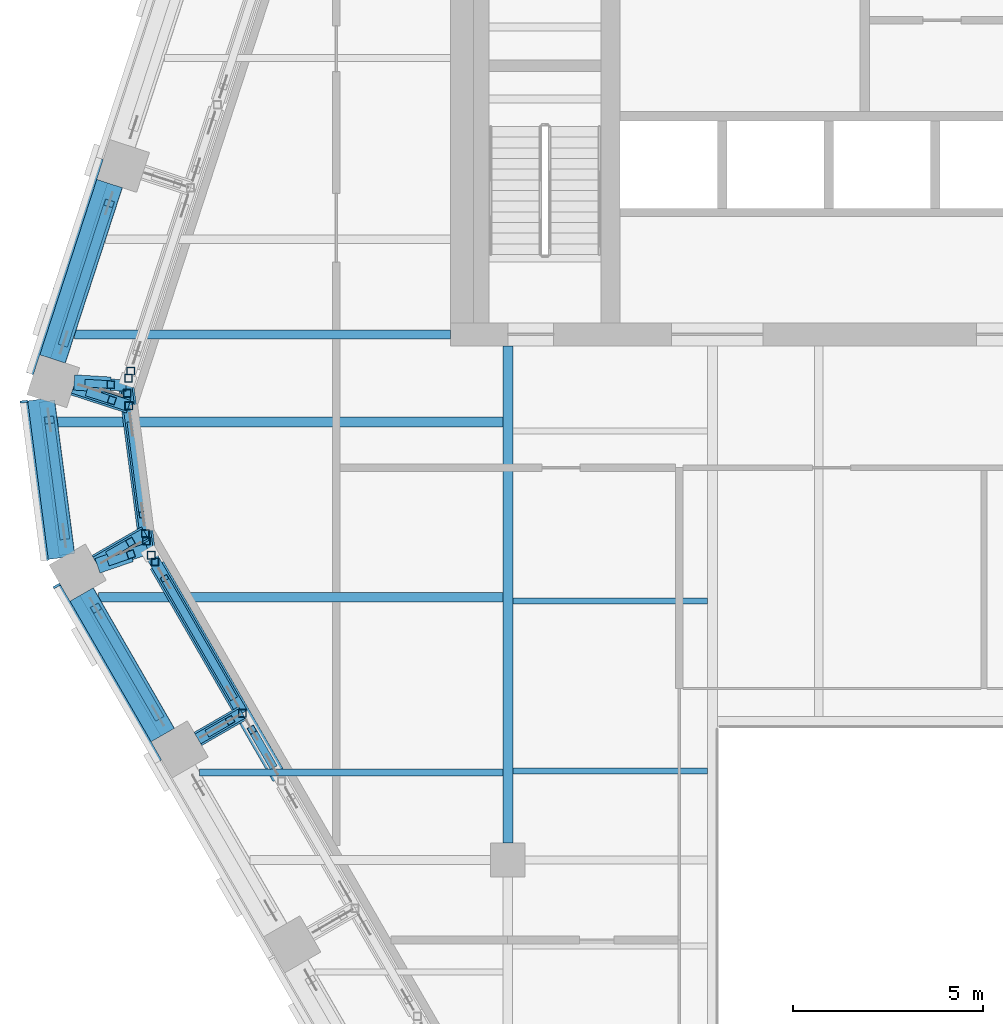
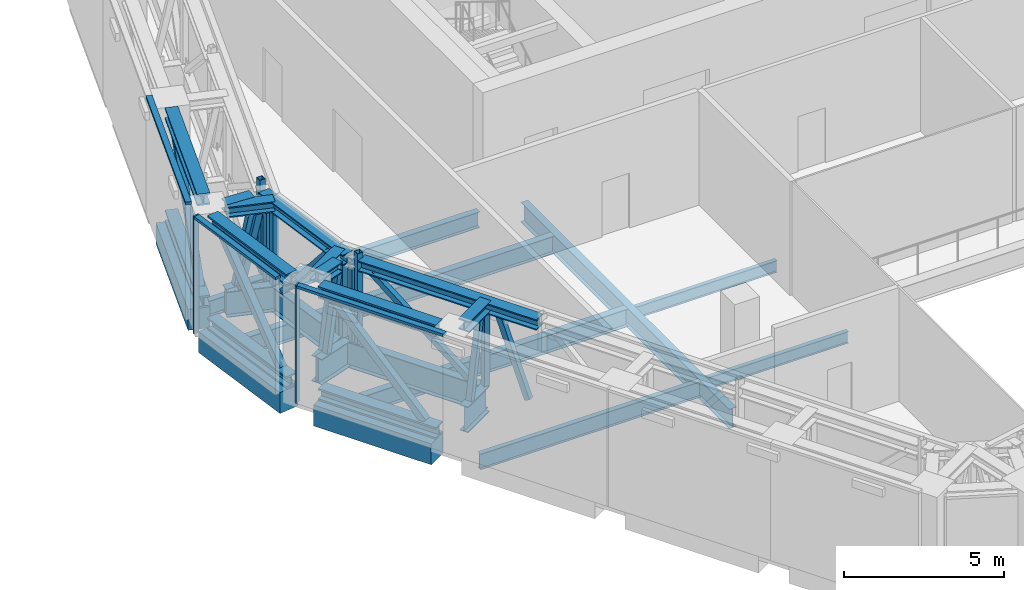
# One storey, part 5 of 25: 45 members, 10 beams, 3 elements without a shape of their own.
"""IFC4 building model written with IfcOpenShell, lengths in metres."""

from ifc_helpers import new_model, si_unit, direction, frame, origin, origin_2d, place, context, subcontext, project, spatial, rectangle, hollow_rectangle, i_section, extrude, material, layer, layer_set, material_profile, profile_set, type_object, element, aggregate, save


model = new_model("IFC4")

# Units and contexts
model_context = context("Model", 3, precision=1e-05, world=origin(), true_north=direction((0.0, 1.0)))
body_context = subcontext(model_context, "Body", "Model", "MODEL_VIEW")
ifc_project = project(units=[si_unit("LENGTHUNIT", "METRE"), si_unit("AREAUNIT", "SQUARE_METRE"), si_unit("VOLUMEUNIT", "CUBIC_METRE"), si_unit("PLANEANGLEUNIT", "RADIAN"), si_unit("MASSUNIT", "GRAM", prefix="KILO")], contexts=[model_context])

# Site, building, storey
site_placement = place(None, origin())
site = spatial("IfcSite", under=ifc_project, at=site_placement, CompositionType="ELEMENT")
building_placement = place(site_placement, origin())
building = spatial("IfcBuilding", under=site, at=building_placement, Name="Isthmus Gate Tower", CompositionType="ELEMENT")
storey_placement = place(building_placement, frame((0.0, 0.0, 256.449951171875)))
storey = spatial("IfcBuildingStorey", under=building, at=storey_placement, Name="L65", CompositionType="ELEMENT", Elevation=256.449951171875)

# Members
ifc_material_1 = material(Name="Structural steel ASTM A913 Gr 65", Category="steel")
ifc_material_profile_1 = material_profile(ifc_material_1, i_section(OverallWidth=0.416015625, OverallDepth=0.444580078125, WebThickness=0.039794921875, FlangeThickness=0.0634765625, at=origin_2d()), Name="W14X342")
ifc_profile_set_1 = profile_set([ifc_material_profile_1], Name="Structural steel ASTM A913 Gr 65")
member_type_1 = type_object("IfcMemberType", Name="BELT TRUSS CHORD W14X342", PredefinedType="CHORD", material=ifc_profile_set_1)
for number, where, z_axis, x_axis, name in (
    (1, (-22.432861328125, -10.14501953125, 0.222412109375), (-0.500021719575, 0.866012863619, 0.0), (-0.866012863619, -0.500021719575, 0.0), "str-belt19-L65-01"),
    (2, (-22.432861328125, -10.14501953125, 4.127685546875), (-0.500021719575, 0.866012863619, 0.0), (-0.866012863619, -0.500021719575, 0.0), "str-belt19-L65-02"),
):
    element("IfcMember", number, at=place(storey_placement, frame(where, z_axis=z_axis, x_axis=x_axis)), inside=storey, type_object=member_type_1, Name=name, PredefinedType="CHORD", context=body_context, shape_type="SweptSolid", body=[
        extrude(i_section(OverallWidth=0.416015625, OverallDepth=0.444580078125, WebThickness=0.039794921875, FlangeThickness=0.0634765625, at=origin_2d()), origin(), (0.0, 0.0, 1.0), 4.260498046875),
    ])
for number, where, z_axis, x_axis, name in (
    (3, (-25.0771484375, -5.48193359375, 0.222412109375), (-0.129179927125, 0.991621170825, 0.0), (-0.991621170825, -0.129179927125, 0.0), "str-belt20-L65-01"),
    (4, (-25.0771484375, -5.48193359375, 4.127685546875), (-0.129179927125, 0.991621170825, 0.0), (-0.991621170825, -0.129179927125, 0.0), "str-belt20-L65-02"),
):
    element("IfcMember", number, at=place(storey_placement, frame(where, z_axis=z_axis, x_axis=x_axis)), inside=storey, type_object=member_type_1, Name=name, PredefinedType="CHORD", context=body_context, shape_type="SweptSolid", body=[
        extrude(i_section(OverallWidth=0.416015625, OverallDepth=0.444580078125, WebThickness=0.039794921875, FlangeThickness=0.0634765625, at=origin_2d()), origin(), (0.0, 0.0, 1.0), 4.063232421875),
    ])
for number, where, z_axis, x_axis, name in (
    (5, (-25.313232421875, -0.389892578125, 0.222412109375), (0.30904844653, 0.951046296296, 0.0), (-0.951046296296, 0.30904844653, 0.0), "str-belt21-L65-01"),
    (6, (-25.313232421875, -0.389892578125, 4.127685546875), (0.30904844653, 0.951046296296, 0.0), (-0.951046296296, 0.30904844653, 0.0), "str-belt21-L65-02"),
):
    element("IfcMember", number, at=place(storey_placement, frame(where, z_axis=z_axis, x_axis=x_axis)), inside=storey, type_object=member_type_1, Name=name, PredefinedType="CHORD", context=body_context, shape_type="SweptSolid", body=[
        extrude(i_section(OverallWidth=0.416015625, OverallDepth=0.444580078125, WebThickness=0.039794921875, FlangeThickness=0.0634765625, at=origin_2d()), origin(), (0.0, 0.0, 1.0), 4.841796875),
    ])

# Curtain wall, member
ifc_material_2 = material(Name="Aluminium, pale champagne anodised", Category="aluminium")
ifc_layer = layer(ifc_material_2, 0.199951171875)
ifc_layer_set = layer_set([ifc_layer], Name="CW-2 LOUVRE CURTAIN WALL 200 DEEP")
curtain_wall_type = type_object("IfcCurtainWallType", Name="CW-2 LOUVRE CURTAIN WALL 200 DEEP", PredefinedType="NOTDEFINED", material=ifc_layer_set)
curtain_wall_1_placement = place(storey_placement, origin())
curtain_wall_1 = element("IfcCurtainWall", 7, at=curtain_wall_1_placement, inside=storey, type_object=curtain_wall_type, Name="CW-2 NW-SW L65", PredefinedType="NOTDEFINED")
ifc_material_3 = material(Name="Aluminium, pale champagne anodised", Category="aluminium")
ifc_material_profile_2 = material_profile(ifc_material_3, rectangle(XDim=0.06005859375, YDim=0.199951171875, at=origin_2d()), Name="60x200")
ifc_profile_set_2 = profile_set([ifc_material_profile_2], Name="Aluminium, pale champagne anodised")
member_type_2 = type_object("IfcMemberType", Name="CW-2 MULLION 60 X 200", PredefinedType="MULLION", material=ifc_profile_set_2)
member_1_placement = place(storey_placement, frame((-26.205322265625, -1.4658203125, 0.0), z_axis=(0.0, 0.0, 1.0), x_axis=(0.129164534, -0.991623175988, 0.0)))
member_1 = element("IfcMember", 8, at=member_1_placement, type_object=member_type_2, Name="CW-2 mullion", PredefinedType="MULLION", context=body_context, shape_type="SweptSolid", body=[
    extrude(rectangle(XDim=0.06005859375, YDim=0.199951171875, at=origin_2d()), origin(), (0.0, 0.0, 1.0), 4.5),
])

curtain_wall_2_placement = place(storey_placement, origin())
curtain_wall_2 = element("IfcCurtainWall", 9, at=curtain_wall_2_placement, inside=storey, type_object=curtain_wall_type, Name="CW-2 SW L65", PredefinedType="NOTDEFINED")
member_2_placement = place(storey_placement, frame((-25.3427734375, -6.304931640625, 0.0), z_axis=(0.0, 0.0, 1.0), x_axis=(0.5, -0.866025403784, 0.0)))
member_2 = element("IfcMember", 10, at=member_2_placement, type_object=member_type_2, Name="CW-2 mullion", PredefinedType="MULLION", context=body_context, shape_type="SweptSolid", body=[
    extrude(rectangle(XDim=0.06005859375, YDim=0.199951171875, at=origin_2d()), origin(), (0.0, 0.0, 1.0), 4.5),
])

curtain_wall_3_placement = place(storey_placement, origin())
curtain_wall_3 = element("IfcCurtainWall", 11, at=curtain_wall_3_placement, inside=storey, type_object=curtain_wall_type, Name="CW-2 NW L65", PredefinedType="NOTDEFINED")
ifc_material_4 = material(Name="Aluminium, pale champagne anodised", Category="aluminium")
ifc_material_profile_3 = material_profile(ifc_material_4, rectangle(XDim=0.199951171875, YDim=0.10009765625, at=origin_2d()), Name="200x100")
ifc_profile_set_3 = profile_set([ifc_material_profile_3], Name="Aluminium, pale champagne anodised")
member_type_3 = type_object("IfcMemberType", Name="CW-2 TRANSOM 200 X 100", PredefinedType="USERDEFINED", material=ifc_profile_set_3)
member_3_placement = place(storey_placement, frame((-24.217529296875, 4.92333984375, 4.449951171875), z_axis=(-0.309020108403, -0.951055504481, 0.0), x_axis=(0.951055504481, -0.309020108403, 0.0)))
member_3 = element("IfcMember", 12, at=member_3_placement, type_object=member_type_3, Name="CW-2 transom", ObjectType="TRANSOM", PredefinedType="USERDEFINED", context=body_context, shape_type="SweptSolid", body=[
    extrude(rectangle(XDim=0.199951171875, YDim=0.10009765625, at=origin_2d()), origin(), (0.0, 0.0, 1.0), 5.94189453125),
])
aggregate(curtain_wall_3, [member_3])

# Member
member_4_placement = place(storey_placement, frame((-26.20166015625, -1.495361328125, 4.449951171875), z_axis=(0.129206893318, -0.991617657527, 0.0), x_axis=(0.991617657527, 0.129206893318, 0.0)))
member_4 = element("IfcMember", 13, at=member_4_placement, type_object=member_type_3, Name="CW-2 transom", ObjectType="TRANSOM", PredefinedType="USERDEFINED", context=body_context, shape_type="SweptSolid", body=[
    extrude(rectangle(XDim=0.199951171875, YDim=0.10009765625, at=origin_2d()), origin(), (0.0, 0.0, 1.0), 4.181640625),
])

aggregate(curtain_wall_1, [member_1, member_4])

member_5_placement = place(storey_placement, frame((-25.327880859375, -6.3310546875, 4.449951171875), z_axis=(0.500022807565, -0.86601223543, 0.0), x_axis=(0.86601223543, 0.500022807565, 0.0)))
member_5 = element("IfcMember", 14, at=member_5_placement, type_object=member_type_3, Name="CW-2 transom", ObjectType="TRANSOM", PredefinedType="USERDEFINED", context=body_context, shape_type="SweptSolid", body=[
    extrude(rectangle(XDim=0.199951171875, YDim=0.10009765625, at=origin_2d()), origin(), (0.0, 0.0, 1.0), 5.300537109375),
])

aggregate(curtain_wall_2, [member_2, member_5])

# Beams
ifc_material_5 = material(Name="Concrete f'c 50 MPa", Category="concrete")
ifc_material_profile_4 = material_profile(ifc_material_5, rectangle(XDim=0.699951171875, YDim=0.800048828125, at=origin_2d()), Name="RC 700X800")
ifc_profile_set_4 = profile_set([ifc_material_profile_4], Name="Concrete f'c 50 MPa")
beam_type_1 = type_object("IfcBeamType", Name="RC SPANDREL 700 X 800", PredefinedType="SPANDREL", material=ifc_profile_set_4)
beam_1_placement = place(storey_placement, frame((-22.562744140625, -10.22021484375, -0.39990234375), z_axis=(-0.499996907167, 0.866027189425, 0.0), x_axis=(-0.866027189425, -0.499996907167, 0.0)))
element("IfcBeam", 15, at=beam_1_placement, inside=storey, type_object=beam_type_1, Name="str-spandrel-L65-19", PredefinedType="SPANDREL", context=body_context, shape_type="SweptSolid", body=[
    extrude(rectangle(XDim=0.699951171875, YDim=0.800048828125, at=origin_2d()), origin(), (0.0, 0.0, 1.0), 4.2607421875),
])
beam_2_placement = place(storey_placement, frame((-25.218017578125, -5.563232421875, -0.39990234375), z_axis=(-0.129137748309, 0.991626664608, 0.0), x_axis=(-0.991626664608, -0.129137748309, 0.0)))
element("IfcBeam", 16, at=beam_2_placement, inside=storey, type_object=beam_type_1, Name="str-spandrel-L65-20", PredefinedType="SPANDREL", context=body_context, shape_type="SweptSolid", body=[
    extrude(rectangle(XDim=0.699951171875, YDim=0.800048828125, at=origin_2d()), origin(), (0.0, 0.0, 1.0), 4.197021484375),
])
beam_3_placement = place(storey_placement, frame((-25.455810546875, -0.34375, -0.39990234375), z_axis=(0.309033626624, 0.951051111989, 0.0), x_axis=(-0.951051111989, 0.309033626624, 0.0)))
element("IfcBeam", 17, at=beam_3_placement, inside=storey, type_object=beam_type_1, Name="str-spandrel-L65-21", PredefinedType="SPANDREL", context=body_context, shape_type="SweptSolid", body=[
    extrude(rectangle(XDim=0.699951171875, YDim=0.800048828125, at=origin_2d()), origin(), (0.0, 0.0, 1.0), 4.842041015625),
])
ifc_material_6 = material(Name="Structural steel ASTM A992 Gr 50", Category="steel")
ifc_material_profile_5 = material_profile(ifc_material_6, i_section(OverallWidth=0.15234375, OverallDepth=0.45068359375, WebThickness=0.0078125, FlangeThickness=0.010986328125, at=origin_2d()), Name="W18X35")
ifc_profile_set_5 = profile_set([ifc_material_profile_5], Name="Structural steel ASTM A992 Gr 50")
beam_type_2 = type_object("IfcBeamType", Name="STEEL FLOOR BEAM W18X35", PredefinedType="JOIST", material=ifc_profile_set_5)
for number, where, z_axis, x_axis, name in (
    (18, (-13.3681640625, -11.16259765625, -0.525390625), (1.0, 0.0, 0.0), (0.0, 1.0, 0.0), "str-beam-L65-03-00"),
    (19, (-13.3681640625, -6.697509765625, -0.525390625), (1.0, 0.0, 0.0), (0.0, 1.0, 0.0), "str-beam-L65-03-01"),
):
    element("IfcBeam", number, at=place(storey_placement, frame(where, z_axis=z_axis, x_axis=x_axis)), inside=storey, type_object=beam_type_2, Name=name, PredefinedType="JOIST", context=body_context, shape_type="SweptSolid", body=[
        extrude(i_section(OverallWidth=0.15234375, OverallDepth=0.45068359375, WebThickness=0.0078125, FlangeThickness=0.010986328125, at=origin_2d()), origin(), (0.0, 0.0, 1.0), 5.104736328125),
    ])
ifc_material_7 = material(Name="Structural steel ASTM A992 Gr 50", Category="steel")
ifc_material_profile_6 = material_profile(ifc_material_7, i_section(OverallWidth=0.177734375, OverallDepth=0.60009765625, WebThickness=0.009521484375, FlangeThickness=0.0126953125, at=origin_2d()), Name="W24X55")
ifc_profile_set_6 = profile_set([ifc_material_profile_6], Name="Structural steel ASTM A992 Gr 50")
beam_type_3 = type_object("IfcBeamType", Name="STEEL FLOOR BEAM W24X55", PredefinedType="JOIST", material=ifc_profile_set_6)
beam_4_placement = place(storey_placement, frame((-21.593017578125, -11.199951171875, -0.60009765625), z_axis=(1.0, 0.0, 0.0), x_axis=(0.0, 1.0, 0.0)))
element("IfcBeam", 20, at=beam_4_placement, inside=storey, type_object=beam_type_3, Name="str-beam-L65-01-00", PredefinedType="JOIST", context=body_context, shape_type="SweptSolid", body=[
    extrude(i_section(OverallWidth=0.177734375, OverallDepth=0.60009765625, WebThickness=0.009521484375, FlangeThickness=0.0126953125, at=origin_2d()), origin(), (0.0, 0.0, 1.0), 7.961181640625),
])
ifc_material_8 = material(Name="Structural steel ASTM A992 Gr 50", Category="steel")
ifc_material_profile_7 = material_profile(ifc_material_8, i_section(OverallWidth=0.25390625, OverallDepth=0.679443359375, WebThickness=0.010986328125, FlangeThickness=0.015869140625, at=origin_2d()), Name="W27X84")
ifc_profile_set_7 = profile_set([ifc_material_profile_7], Name="Structural steel ASTM A992 Gr 50")
beam_type_4 = type_object("IfcBeamType", Name="STEEL FLOOR BEAM W27X84", PredefinedType="JOIST", material=ifc_profile_set_7)
beam_5_placement = place(storey_placement, frame((-24.248779296875, -6.60009765625, -0.6396484375), z_axis=(1.0, 0.0, 0.0), x_axis=(0.0, 1.0, 0.0)))
element("IfcBeam", 21, at=beam_5_placement, inside=storey, type_object=beam_type_4, Name="str-beam-L65-01-01", PredefinedType="JOIST", context=body_context, shape_type="SweptSolid", body=[
    extrude(i_section(OverallWidth=0.25390625, OverallDepth=0.679443359375, WebThickness=0.010986328125, FlangeThickness=0.015869140625, at=origin_2d()), origin(), (0.0, 0.0, 1.0), 10.616943359375),
])
beam_6_placement = place(storey_placement, frame((-25.3291015625, -2.0, -0.6396484375), z_axis=(1.0, 0.0, 0.0), x_axis=(0.0, 1.0, 0.0)))
element("IfcBeam", 22, at=beam_6_placement, inside=storey, type_object=beam_type_4, Name="str-beam-L65-01-02", PredefinedType="JOIST", context=body_context, shape_type="SweptSolid", body=[
    extrude(i_section(OverallWidth=0.25390625, OverallDepth=0.679443359375, WebThickness=0.010986328125, FlangeThickness=0.015869140625, at=origin_2d()), origin(), (0.0, 0.0, 1.0), 11.697265625),
])
ifc_material_9 = material(Name="Structural steel ASTM A992 Gr 50", Category="steel")
ifc_material_profile_8 = material_profile(ifc_material_9, i_section(OverallWidth=0.228515625, OverallDepth=0.6064453125, WebThickness=0.010986328125, FlangeThickness=0.017578125, at=origin_2d()), Name="W24X76")
ifc_profile_set_8 = profile_set([ifc_material_profile_8], Name="Structural steel ASTM A992 Gr 50")
beam_type_5 = type_object("IfcBeamType", Name="STEEL GIRDER W24X76", PredefinedType="BEAM", material=ifc_profile_set_8)
beam_7_placement = place(storey_placement, frame((-15.0, 0.300048828125, -0.603271484375), z_axis=(-1.0, 0.0, 0.0), x_axis=(0.0, -1.0, 0.0)))
element("IfcBeam", 23, at=beam_7_placement, inside=storey, type_object=beam_type_5, Name="str-girder-L65-09", PredefinedType="BEAM", context=body_context, shape_type="SweptSolid", body=[
    extrude(i_section(OverallWidth=0.228515625, OverallDepth=0.6064453125, WebThickness=0.010986328125, FlangeThickness=0.017578125, at=origin_2d()), origin(), (0.0, 0.0, 1.0), 9.878662109375),
])
ifc_material_10 = material(Name="Structural steel ASTM A992 Gr 50", Category="steel")
ifc_material_profile_9 = material_profile(ifc_material_10, i_section(OverallWidth=0.263427734375, OverallDepth=0.749267578125, WebThickness=0.0126953125, FlangeThickness=0.015869140625, at=origin_2d()), Name="W30X90")
ifc_profile_set_9 = profile_set([ifc_material_profile_9], Name="Structural steel ASTM A992 Gr 50")
beam_type_6 = type_object("IfcBeamType", Name="STEEL GIRDER W30X90", PredefinedType="BEAM", material=ifc_profile_set_9)
beam_8_placement = place(storey_placement, frame((-13.5, -13.050048828125, -0.674560546875), z_axis=(0.0, 1.0, 0.0), x_axis=(-1.0, 0.0, 0.0)))
element("IfcBeam", 24, at=beam_8_placement, inside=storey, type_object=beam_type_6, Name="str-girder-L65-06", PredefinedType="BEAM", context=body_context, shape_type="SweptSolid", body=[
    extrude(i_section(OverallWidth=0.263427734375, OverallDepth=0.749267578125, WebThickness=0.0126953125, FlangeThickness=0.015869140625, at=origin_2d()), origin(), (0.0, 0.0, 1.0), 13.050048828125),
])

# Members
ifc_material_11 = material(Name="Structural steel ASTM A913 Gr 65", Category="steel")
ifc_material_profile_10 = material_profile(ifc_material_11, i_section(OverallWidth=0.4033203125, OverallDepth=0.406494140625, WebThickness=0.027099609375, FlangeThickness=0.04443359375, at=origin_2d()), Name="W14X233")
ifc_profile_set_10 = profile_set([ifc_material_profile_10], Name="Structural steel ASTM A913 Gr 65")
member_type_4 = type_object("IfcMemberType", Name="TRANSFER TRUSS CHORD W14X233", PredefinedType="CHORD", material=ifc_profile_set_10)
member_6_placement = place(storey_placement, frame((-19.492431640625, -11.33837890625, 4.046875), z_axis=(-0.499979485154, 0.866037247712, 0.0), x_axis=(-0.866037247712, -0.499979485154, 0.0)))
element("IfcMember", 25, at=member_6_placement, inside=storey, type_object=member_type_4, Name="str-ring07-L65-17", PredefinedType="CHORD", context=body_context, shape_type="SweptSolid", body=[
    extrude(i_section(OverallWidth=0.4033203125, OverallDepth=0.406494140625, WebThickness=0.027099609375, FlangeThickness=0.04443359375, at=origin_2d()), origin(), (0.0, 0.0, 1.0), 6.440673828125),
])
member_7_placement = place(storey_placement, frame((-22.963623046875, -5.32568359375, 4.046875), z_axis=(-0.129155453655, 0.991624358712, 0.0), x_axis=(-0.991624358712, -0.129155453655, 0.0)))
element("IfcMember", 26, at=member_7_placement, inside=storey, type_object=member_type_4, Name="str-ring08-L65-06", PredefinedType="CHORD", context=body_context, shape_type="SweptSolid", body=[
    extrude(i_section(OverallWidth=0.4033203125, OverallDepth=0.406494140625, WebThickness=0.027099609375, FlangeThickness=0.04443359375, at=origin_2d()), origin(), (0.0, 0.0, 1.0), 4.3173828125),
])
member_8_placement = place(storey_placement, frame((-24.912353515625, -1.098388671875, 4.046875), z_axis=(0.951042250875, -0.309060895376, 0.0), x_axis=(0.309060895376, 0.951042250875, 0.0)))
element("IfcMember", 27, at=member_8_placement, inside=storey, type_object=member_type_4, Name="str-link09-L65-02", PredefinedType="CHORD", context=body_context, shape_type="SweptSolid", body=[
    extrude(i_section(OverallWidth=0.4033203125, OverallDepth=0.406494140625, WebThickness=0.027099609375, FlangeThickness=0.04443359375, at=origin_2d()), origin(), (0.0, 0.0, 1.0), 1.534912109375),
])
member_9_placement = place(storey_placement, frame((-24.318603515625, -5.678955078125, 4.046875), z_axis=(0.866047774678, 0.499961250474, 0.0), x_axis=(-0.499961250474, 0.866047774678, 0.0)))
element("IfcMember", 28, at=member_9_placement, inside=storey, type_object=member_type_4, Name="str-link10-L65-02", PredefinedType="CHORD", context=body_context, shape_type="SweptSolid", body=[
    extrude(i_section(OverallWidth=0.4033203125, OverallDepth=0.406494140625, WebThickness=0.027099609375, FlangeThickness=0.04443359375, at=origin_2d()), origin(), (0.0, 0.0, 1.0), 1.50439453125),
])
member_10_placement = place(storey_placement, frame((-21.63818359375, -10.321533203125, 4.046875), z_axis=(0.865974735705, 0.50008774942, 0.0), x_axis=(-0.50008774942, 0.865974735705, 0.0)))
element("IfcMember", 29, at=member_10_placement, inside=storey, type_object=member_type_4, Name="str-link11-L65-02", PredefinedType="CHORD", context=body_context, shape_type="SweptSolid", body=[
    extrude(i_section(OverallWidth=0.4033203125, OverallDepth=0.406494140625, WebThickness=0.027099609375, FlangeThickness=0.04443359375, at=origin_2d()), origin(), (0.0, 0.0, 1.0), 1.349853515625),
])
member_11_placement = place(storey_placement, frame((-24.274658203125, -5.775634765625, 4.046875), z_axis=(0.945855916231, 0.324586792294, 0.0), x_axis=(-0.324586792294, 0.945855916231, 0.0)))
element("IfcMember", 30, at=member_11_placement, inside=storey, type_object=member_type_4, Name="str-link38-L65-02", PredefinedType="CHORD", context=body_context, shape_type="SweptSolid", body=[
    extrude(i_section(OverallWidth=0.4033203125, OverallDepth=0.406494140625, WebThickness=0.027099609375, FlangeThickness=0.04443359375, at=origin_2d()), origin(), (0.0, 0.0, 1.0), 0.927490234375),
])
member_12_placement = place(storey_placement, frame((-24.886474609375, -0.961669921875, 4.046875), z_axis=(0.998163391223, -0.060579240859, 0.0), x_axis=(0.060579240859, 0.998163391223, 0.0)))
element("IfcMember", 31, at=member_12_placement, inside=storey, type_object=member_type_4, Name="str-link39-L65-02", PredefinedType="CHORD", context=body_context, shape_type="SweptSolid", body=[
    extrude(i_section(OverallWidth=0.4033203125, OverallDepth=0.406494140625, WebThickness=0.027099609375, FlangeThickness=0.04443359375, at=origin_2d()), origin(), (0.0, 0.0, 1.0), 0.963134765625),
])
ifc_material_12 = material(Name="Structural steel ASTM A913 Gr 65", Category="steel")
ifc_material_profile_11 = material_profile(ifc_material_12, i_section(OverallWidth=0.29833984375, OverallDepth=0.981201171875, WebThickness=0.015869140625, FlangeThickness=0.025390625, at=origin_2d()), Name="W40X167")
ifc_profile_set_11 = profile_set([ifc_material_profile_11], Name="Structural steel ASTM A913 Gr 65")
member_type_5 = type_object("IfcMemberType", Name="TRANSFER TRUSS CHORD W40X167", PredefinedType="CHORD", material=ifc_profile_set_11)
member_13_placement = place(storey_placement, frame((-20.468994140625, -9.646728515625, 0.490478515625), z_axis=(-0.499980828035, 0.86603647244, 0.0), x_axis=(-0.86603647244, -0.499980828035, 0.0)))
element("IfcMember", 32, at=member_13_placement, inside=storey, type_object=member_type_5, Name="str-ring07-L65-13", PredefinedType="CHORD", context=body_context, shape_type="SweptSolid", body=[
    extrude(i_section(OverallWidth=0.29833984375, OverallDepth=0.981201171875, WebThickness=0.015869140625, FlangeThickness=0.025390625, at=origin_2d()), origin(), (0.0, 0.0, 1.0), 4.989501953125),
])
member_14_placement = place(storey_placement, frame((-22.963623046875, -5.32568359375, 0.490478515625), z_axis=(-0.129155453655, 0.991624358712, 0.0), x_axis=(-0.991624358712, -0.129155453655, 0.0)))
element("IfcMember", 33, at=member_14_placement, inside=storey, type_object=member_type_5, Name="str-ring08-L65-05", PredefinedType="CHORD", context=body_context, shape_type="SweptSolid", body=[
    extrude(i_section(OverallWidth=0.29833984375, OverallDepth=0.981201171875, WebThickness=0.015869140625, FlangeThickness=0.025390625, at=origin_2d()), origin(), (0.0, 0.0, 1.0), 4.3173828125),
])
member_15_placement = place(storey_placement, frame((-24.912353515625, -1.098388671875, 0.490478515625), z_axis=(0.951042250875, -0.309060895376, 0.0), x_axis=(0.309060895376, 0.951042250875, 0.0)))
element("IfcMember", 34, at=member_15_placement, inside=storey, type_object=member_type_5, Name="str-link09-L65-01", PredefinedType="CHORD", context=body_context, shape_type="SweptSolid", body=[
    extrude(i_section(OverallWidth=0.29833984375, OverallDepth=0.981201171875, WebThickness=0.015869140625, FlangeThickness=0.025390625, at=origin_2d()), origin(), (0.0, 0.0, 1.0), 1.534912109375),
])
member_16_placement = place(storey_placement, frame((-24.318603515625, -5.678955078125, 0.490478515625), z_axis=(0.866047774678, 0.499961250474, 0.0), x_axis=(-0.499961250474, 0.866047774678, 0.0)))
element("IfcMember", 35, at=member_16_placement, inside=storey, type_object=member_type_5, Name="str-link10-L65-01", PredefinedType="CHORD", context=body_context, shape_type="SweptSolid", body=[
    extrude(i_section(OverallWidth=0.29833984375, OverallDepth=0.981201171875, WebThickness=0.015869140625, FlangeThickness=0.025390625, at=origin_2d()), origin(), (0.0, 0.0, 1.0), 1.50439453125),
])
member_17_placement = place(storey_placement, frame((-21.63818359375, -10.321533203125, 0.490478515625), z_axis=(0.865974735705, 0.50008774942, 0.0), x_axis=(-0.50008774942, 0.865974735705, 0.0)))
element("IfcMember", 36, at=member_17_placement, inside=storey, type_object=member_type_5, Name="str-link11-L65-01", PredefinedType="CHORD", context=body_context, shape_type="SweptSolid", body=[
    extrude(i_section(OverallWidth=0.29833984375, OverallDepth=0.981201171875, WebThickness=0.015869140625, FlangeThickness=0.025390625, at=origin_2d()), origin(), (0.0, 0.0, 1.0), 1.349853515625),
])
member_18_placement = place(storey_placement, frame((-24.274658203125, -5.775634765625, 0.490478515625), z_axis=(0.945845546106, 0.324617009585, 0.0), x_axis=(-0.324617009585, 0.945845546106, 0.0)))
element("IfcMember", 37, at=member_18_placement, inside=storey, type_object=member_type_5, Name="str-link38-L65-01", PredefinedType="CHORD", context=body_context, shape_type="SweptSolid", body=[
    extrude(i_section(OverallWidth=0.29833984375, OverallDepth=0.981201171875, WebThickness=0.015869140625, FlangeThickness=0.025390625, at=origin_2d()), origin(), (0.0, 0.0, 1.0), 1.385986328125),
])
member_19_placement = place(storey_placement, frame((-24.886474609375, -0.961669921875, 0.490478515625), z_axis=(0.998167516633, -0.060511228208, 0.0), x_axis=(0.060511228208, 0.998167516633, 0.0)))
element("IfcMember", 38, at=member_19_placement, inside=storey, type_object=member_type_5, Name="str-link39-L65-01", PredefinedType="CHORD", context=body_context, shape_type="SweptSolid", body=[
    extrude(i_section(OverallWidth=0.29833984375, OverallDepth=0.981201171875, WebThickness=0.015869140625, FlangeThickness=0.025390625, at=origin_2d()), origin(), (0.0, 0.0, 1.0), 1.36767578125),
])
ifc_material_13 = material(Name="Structural steel ASTM A500 Gr C", Category="steel")
ifc_material_profile_12 = material_profile(ifc_material_13, hollow_rectangle(XDim=0.203125, YDim=0.203125, WallThickness=0.01171875, at=origin_2d()), Name="HSS8X8X1/2")
ifc_profile_set_12 = profile_set([ifc_material_profile_12], Name="Structural steel ASTM A500 Gr C")
member_type_6 = type_object("IfcMemberType", Name="TRANSFER TRUSS DIAGONAL HSS8X8X1/2", PredefinedType="BRACE", material=ifc_profile_set_12)
member_20_placement = place(storey_placement, frame((-19.69140625, -10.9931640625, 0.981201171875), z_axis=(-0.172936394761, 0.299457653491, 0.93830598268), x_axis=(-0.865969754012, -0.500096375847, 0.0)))
element("IfcMember", 39, at=member_20_placement, inside=storey, type_object=member_type_6, Name="str-ring07-L65-23", PredefinedType="BRACE", context=body_context, shape_type="SweptSolid", body=[
    extrude(hollow_rectangle(XDim=0.203125, YDim=0.203125, WallThickness=0.01171875, at=origin_2d()), origin(), (0.0, 0.0, 1.0), 3.05078125),
])
member_21_placement = place(storey_placement, frame((-20.718994140625, -9.213623046875, 0.981201171875), z_axis=(-0.39088198171, 0.6770501373, 0.623549827966), x_axis=(-0.866032658007, -0.499987435107, 0.0)))
element("IfcMember", 40, at=member_21_placement, inside=storey, type_object=member_type_6, Name="str-ring07-L65-24", PredefinedType="BRACE", context=body_context, shape_type="SweptSolid", body=[
    extrude(hollow_rectangle(XDim=0.203125, YDim=0.203125, WallThickness=0.01171875, at=origin_2d()), origin(), (0.0, 0.0, 1.0), 4.5908203125),
])
member_22_placement = place(storey_placement, frame((-23.387939453125, -2.068359375, 0.981201171875), z_axis=(0.08265542693, -0.634434478393, 0.768544711143), x_axis=(0.991619823733, 0.129190267355, 0.0)))
element("IfcMember", 41, at=member_22_placement, inside=storey, type_object=member_type_6, Name="str-ring08-L65-07", PredefinedType="BRACE", context=body_context, shape_type="SweptSolid", body=[
    extrude(hollow_rectangle(XDim=0.203125, YDim=0.203125, WallThickness=0.01171875, at=origin_2d()), origin(), (0.0, 0.0, 1.0), 3.724609375),
])
for number, where, z_axis, x_axis, name in (
    (42, (-24.4677734375, -1.242919921875, 0.981201171875), (0.195078935201, -0.06344030413, 0.978733639379), (0.309260889552, 0.950977235371, 0.0), "str-link09-L65-03"),
    (43, (-23.927001953125, -5.452880859375, 0.981201171875), (0.177713902938, 0.102588251156, 0.97872029683), (-0.499945471869, 0.866056883327, 0.0), "str-link10-L65-03"),
    (44, (-21.3134765625, -10.134033203125, 0.981201171875), (0.177633064455, 0.102589772658, 0.978734812377), (-0.50012165622, 0.865955154139, 0.0), "str-link11-L65-03"),
):
    element("IfcMember", number, at=place(storey_placement, frame(where, z_axis=z_axis, x_axis=x_axis)), inside=storey, type_object=member_type_6, Name=name, PredefinedType="BRACE", context=body_context, shape_type="SweptSolid", body=[
        extrude(hollow_rectangle(XDim=0.203125, YDim=0.203125, WallThickness=0.01171875, at=origin_2d()), origin(), (0.0, 0.0, 1.0), 2.9248046875),
    ])
member_23_placement = place(storey_placement, frame((-23.90283203125, -5.64794921875, 0.981201171875), z_axis=(0.173548907353, 0.059526436821, 0.983024608072), x_axis=(-0.324441148569, 0.945905883857, 0.0)))
element("IfcMember", 45, at=member_23_placement, inside=storey, type_object=member_type_6, Name="str-link38-L65-03", PredefinedType="BRACE", context=body_context, shape_type="SweptSolid", body=[
    extrude(hollow_rectangle(XDim=0.203125, YDim=0.203125, WallThickness=0.01171875, at=origin_2d()), origin(), (0.0, 0.0, 1.0), 2.911865234375),
])
member_24_placement = place(storey_placement, frame((-24.50341796875, -0.98486328125, 0.981201171875), z_axis=(0.198030604193, -0.012037318279, 0.980121922401), x_axis=(0.060673156154, 0.998157687003, 0.0)))
element("IfcMember", 46, at=member_24_placement, inside=storey, type_object=member_type_6, Name="str-link39-L65-03", PredefinedType="BRACE", context=body_context, shape_type="SweptSolid", body=[
    extrude(hollow_rectangle(XDim=0.203125, YDim=0.203125, WallThickness=0.01171875, at=origin_2d()), origin(), (0.0, 0.0, 1.0), 2.920654296875),
])
ifc_material_14 = material(Name="Structural steel ASTM A500 Gr C", Category="steel")
ifc_material_profile_13 = material_profile(ifc_material_14, hollow_rectangle(XDim=0.203125, YDim=0.203125, WallThickness=0.01171875, at=origin_2d()), Name="HSS8X8X1/2")
ifc_profile_set_13 = profile_set([ifc_material_profile_13], Name="Structural steel ASTM A500 Gr C")
member_type_7 = type_object("IfcMemberType", Name="TRANSFER TRUSS POST HSS8X8X1/2", PredefinedType="POST", material=ifc_profile_set_13)
member_25_placement = place(storey_placement, frame((-20.468994140625, -9.646728515625, 0.981201171875), z_axis=(0.0, 0.0, 1.0), x_axis=(1.0, 0.0, 0.0)))
element("IfcMember", 47, at=member_25_placement, inside=storey, type_object=member_type_7, Name="str-ring07-L65-07", PredefinedType="POST", context=body_context, shape_type="SweptSolid", body=[
    extrude(hollow_rectangle(XDim=0.203125, YDim=0.203125, WallThickness=0.01171875, at=origin_2d()), origin(), (0.0, 0.0, 1.0), 2.862548828125),
])
member_26_placement = place(storey_placement, frame((-22.763427734375, -5.67236328125, 0.981201171875), z_axis=(0.0, 0.0, 1.0), x_axis=(1.0, 0.0, 0.0)))
element("IfcMember", 48, at=member_26_placement, inside=storey, type_object=member_type_7, Name="str-ring07-L65-08", PredefinedType="POST", context=body_context, shape_type="SweptSolid", body=[
    extrude(hollow_rectangle(XDim=0.203125, YDim=0.203125, WallThickness=0.01171875, at=origin_2d()), origin(), (0.0, 0.0, 1.0), 3.46875),
])
for number, where, z_axis, x_axis, name in (
    (49, (-22.863525390625, -5.499267578125, 0.981201171875), (0.0, 0.0, 1.0), (1.0, 0.0, 0.0), "str-ring07-L65-09"),
    (50, (-22.989501953125, -5.12744140625, 0.981201171875), (0.0, 0.0, 1.0), (1.0, 0.0, 0.0), "str-ring08-L65-01"),
    (51, (-23.015625, -4.927001953125, 0.981201171875), (0.0, 0.0, 1.0), (1.0, 0.0, 0.0), "str-ring08-L65-02"),
    (52, (-23.45263671875, -1.572509765625, 0.981201171875), (0.0, 0.0, 1.0), (1.0, 0.0, 0.0), "str-ring08-L65-03"),
    (53, (-23.49560546875, -1.2421875, 0.981201171875), (0.0, 0.0, 1.0), (1.0, 0.0, 0.0), "str-ring08-L65-04"),
    (54, (-23.45947265625, -0.854248046875, 0.981201171875), (0.0, 0.0, 1.0), (1.0, 0.0, 0.0), "str-ring09-L65-01"),
):
    element("IfcMember", number, at=place(storey_placement, frame(where, z_axis=z_axis, x_axis=x_axis)), inside=storey, type_object=member_type_7, Name=name, PredefinedType="POST", context=body_context, shape_type="SweptSolid", body=[
        extrude(hollow_rectangle(XDim=0.203125, YDim=0.203125, WallThickness=0.01171875, at=origin_2d()), origin(), (0.0, 0.0, 1.0), 2.862548828125),
    ])
member_27_placement = place(storey_placement, frame((-23.397705078125, -0.6640625, 0.981201171875), z_axis=(0.0, 0.0, 1.0), x_axis=(1.0, 0.0, 0.0)))
element("IfcMember", 55, at=member_27_placement, inside=storey, type_object=member_type_7, Name="str-ring09-L65-02", PredefinedType="POST", context=body_context, shape_type="SweptSolid", body=[
    extrude(hollow_rectangle(XDim=0.203125, YDim=0.203125, WallThickness=0.01171875, at=origin_2d()), origin(), (0.0, 0.0, 1.0), 3.46875),
])
ifc_material_15 = material(Name="Structural steel ASTM A500 Gr C", Category="steel")
ifc_material_profile_14 = material_profile(ifc_material_15, hollow_rectangle(XDim=0.25390625, YDim=0.25390625, WallThickness=0.01171875, at=origin_2d()), Name="HSS10X10X1/2")
ifc_profile_set_14 = profile_set([ifc_material_profile_14], Name="Structural steel ASTM A500 Gr C")
member_type_8 = type_object("IfcMemberType", Name="TRUSS DIAGONAL HSS10X10X1/2", PredefinedType="BRACE", material=ifc_profile_set_14)
member_28_placement = place(storey_placement, frame((-22.682861328125, -9.712158203125, 0.444580078125), z_axis=(-0.342877926518, 0.593849370785, 0.727858263898), x_axis=(-0.866013511523, -0.500020597436, 0.0)))
element("IfcMember", 56, at=member_28_placement, inside=storey, type_object=member_type_8, Name="str-belt19-L65-03", PredefinedType="BRACE", context=body_context, shape_type="SweptSolid", body=[
    extrude(hollow_rectangle(XDim=0.25390625, YDim=0.25390625, WallThickness=0.01171875, at=origin_2d()), origin(), (0.0, 0.0, 1.0), 4.7548828125),
])
member_29_placement = place(storey_placement, frame((-25.141845703125, -4.986083984375, 0.444580078125), z_axis=(-0.085573451319, 0.657225235379, 0.748820522162), x_axis=(-0.991629717726, -0.129114301777, 0.0)))
element("IfcMember", 57, at=member_29_placement, inside=storey, type_object=member_type_8, Name="str-belt20-L65-03", PredefinedType="BRACE", context=body_context, shape_type="SweptSolid", body=[
    extrude(hollow_rectangle(XDim=0.25390625, YDim=0.25390625, WallThickness=0.01171875, at=origin_2d()), origin(), (0.0, 0.0, 1.0), 4.621826171875),
])
member_30_placement = place(storey_placement, frame((-25.15869140625, 0.08544921875, 0.444580078125), z_axis=(0.229596634865, 0.706636404282, 0.669290951233), x_axis=(-0.951057881308, 0.309012793265, 0.0)))
element("IfcMember", 58, at=member_30_placement, inside=storey, type_object=member_type_8, Name="str-belt21-L65-03", PredefinedType="BRACE", context=body_context, shape_type="SweptSolid", body=[
    extrude(hollow_rectangle(XDim=0.25390625, YDim=0.25390625, WallThickness=0.01171875, at=origin_2d()), origin(), (0.0, 0.0, 1.0), 5.171142578125),
])

save(model, "model.ifc")
